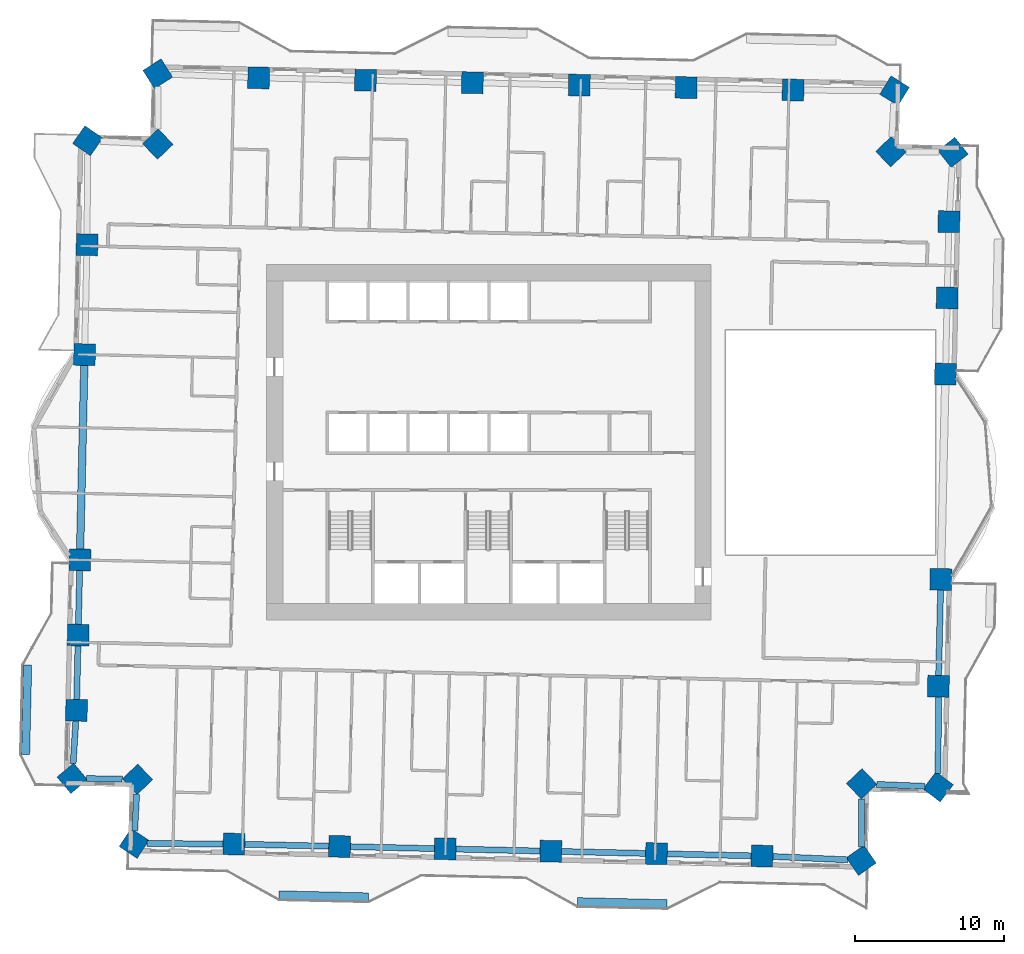
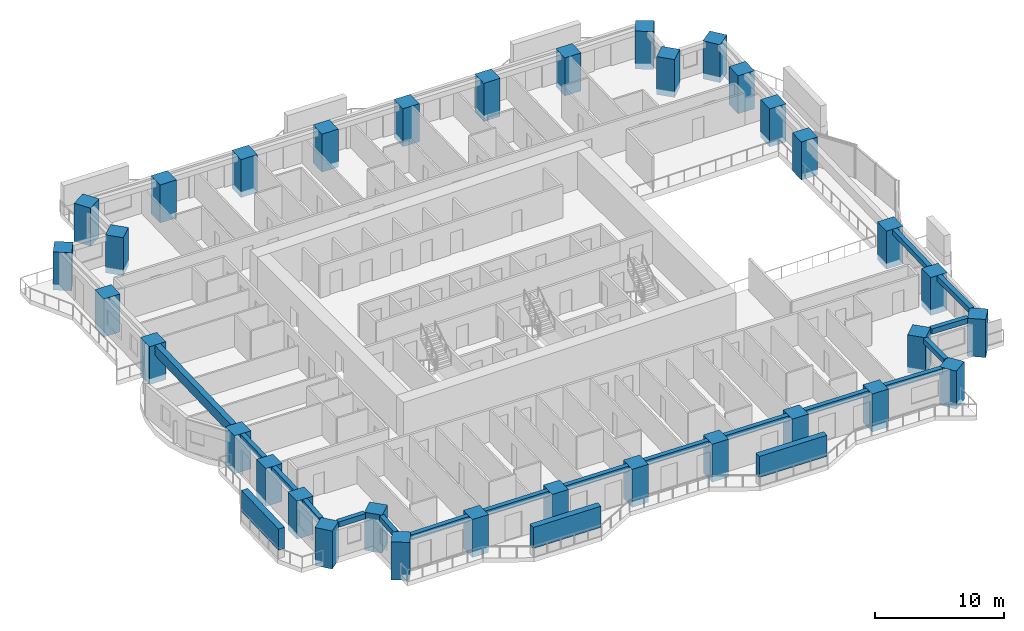
# One storey, part 1 of 18: 34 columns, 17 beams, 3 members.
"""IFC4 building model written with IfcOpenShell, lengths in metres."""

from ifc_helpers import new_model, si_unit, direction, frame, origin, origin_2d, place, context, subcontext, project, spatial, rectangle, extrude, material, material_profile, profile_set, type_object, element, save


model = new_model("IFC4")

# Units and contexts
model_context = context("Model", 3, precision=1e-05, world=origin(), true_north=direction((0.0, 1.0)))
body_context = subcontext(model_context, "Body", "Model", "MODEL_VIEW")
ifc_project = project(units=[si_unit("LENGTHUNIT", "METRE"), si_unit("AREAUNIT", "SQUARE_METRE"), si_unit("VOLUMEUNIT", "CUBIC_METRE"), si_unit("PLANEANGLEUNIT", "RADIAN"), si_unit("MASSUNIT", "GRAM", prefix="KILO")], contexts=[model_context])

# Site, building, storey
site_placement = place(None, origin())
site = spatial("IfcSite", under=ifc_project, at=site_placement, CompositionType="ELEMENT")
building_placement = place(site_placement, origin())
building = spatial("IfcBuilding", under=site, at=building_placement, Name="Mangrove Gate Tower", CompositionType="ELEMENT")
storey_placement = place(building_placement, frame((0.0, 0.0, 67.5)))
storey = spatial("IfcBuildingStorey", under=building, at=storey_placement, Name="L16", CompositionType="ELEMENT", Elevation=67.5)

# Columns
ifc_material_1 = material(Name="Concrete C70/85", Category="concrete")
ifc_material_profile_1 = material_profile(ifc_material_1, rectangle(XDim=1.449951171875, YDim=1.449951171875, at=origin_2d()))
ifc_profile_set_1 = profile_set([ifc_material_profile_1], Name="Concrete C70/85")
column_type = type_object("IfcColumnType", Name="Column RC 1450x1450 C70/85", PredefinedType="COLUMN", material=ifc_profile_set_1)
for number, where, z_axis, x_axis, name in (
    (1, (-27.39111328125, -7.869384765625, -0.550048828125), (0.0, 0.0, 1.0), (-0.022722615033, -0.999741808051, 0.0), "Column L16 W05"),
    (2, (-27.506103515625, -12.909423828125, -0.550048828125), (0.0, 0.0, 1.0), (-0.022712390043, -0.999742040398, 0.0), "Column L16 W06"),
    (3, (-27.6201171875, -17.949462890625, -0.550048828125), (0.0, 0.0, 1.0), (-0.022710139149, -0.999742091532, 0.0), "Column L16 W07"),
    (4, (-27.903076171875, -22.509765625, -0.550048828125), (0.0, 0.0, 1.0), (0.640243203999, -0.768172272172, 0.0), "Column L16 W08"),
    (5, (-23.536865234375, -22.572021484375, -0.550048828125), (0.0, 0.0, 1.0), (0.691018296422, -0.722837266617, 0.0), "Column L16 W09"),
    (6, (-23.76318359375, -26.865234375, -0.550048828125), (0.0, 0.0, 1.0), (0.837001319642, -0.547200868893, 0.0), "Column L16 S01"),
    (7, (-17.069580078125, -26.908203125, -0.550048828125), (0.0, 0.0, 1.0), (0.999742746705, -0.022681278839, 0.0), "Column L16 S02"),
    (8, (-9.99462890625, -27.068115234375, -0.550048828125), (0.0, 0.0, 1.0), (0.999742783124, -0.022679673549, 0.0), "Column L16 S03"),
    (9, (-2.919677734375, -27.229248046875, -0.550048828125), (0.0, 0.0, 1.0), (0.999742783124, -0.022679673549, 0.0), "Column L16 S04"),
    (10, (4.155517578125, -27.38916015625, -0.550048828125), (0.0, 0.0, 1.0), (0.999742746705, -0.022681278839, 0.0), "Column L16 S05"),
    (11, (11.2294921875, -27.55029296875, -0.550048828125), (0.0, 0.0, 1.0), (0.999741142154, -0.022751894086, 0.0), "Column L16 S06"),
    (12, (18.304443359375, -27.711181640625, -0.550048828125), (0.0, 0.0, 1.0), (0.999742783124, -0.022679673549, 0.0), "Column L16 S07"),
    (13, (24.947021484375, -28.002197265625, -0.550048828125), (0.0, 0.0, 1.0), (0.819023244747, 0.573760337218, 0.0), "Column L16 S08"),
    (14, (24.97998046875, -22.872802734375, -0.550048828125), (0.0, 0.0, 1.0), (0.722904645442, 0.690947808158, 0.0), "Column L16 E01"),
    (15, (30.10205078125, -23.075927734375, -0.550048828125), (0.0, 0.0, 1.0), (0.605733382364, 0.795667687851, 0.0), "Column L16 E02"),
    (16, (30.1171875, -16.338623046875, -0.550048828125), (0.0, 0.0, 1.0), (0.02268810132, 0.9997425919, 0.0), "Column L16 E03"),
    (17, (30.279296875, -9.177490234375, -0.550048828125), (0.0, 0.0, 1.0), (0.022664929308, 0.999743117495, 0.0), "Column L16 E04"),
    (18, (30.59130859375, 4.5693359375, -0.550048828125), (0.0, 0.0, 1.0), (0.022694906351, 0.999742437444, 0.0), "Column L16 E05"),
    (19, (30.707275390625, 9.676513671875, -0.550048828125), (0.0, 0.0, 1.0), (0.022708062743, 0.999742138697, 0.0), "Column L16 E06"),
    (20, (30.8232421875, 14.783447265625, -0.550048828125), (0.0, 0.0, 1.0), (0.022710278739, 0.999742088361, 0.0), "Column L16 E07"),
    (21, (31.09375, 19.42529296875, -0.550048828125), (0.0, 0.0, 1.0), (-0.617420768596, 0.786633074887, 0.0), "Column L16 E08"),
    (22, (26.94091796875, 19.468017578125, -0.550048828125), (0.0, 0.0, 1.0), (-0.69084800058, 0.723000027728, 0.0), "Column L16 E09"),
    (23, (27.17919921875, 23.551025390625, -0.550048828125), (0.0, 0.0, 1.0), (-0.85094209372, 0.525259510276, 0.0), "Column L16 N01"),
    (24, (20.383544921875, 23.605224609375, -0.550048828125), (0.0, 0.0, 1.0), (-0.999742555864, 0.022689689161, 0.0), "Column L16 N02"),
    (25, (13.2236328125, 23.76806640625, -0.550048828125), (0.0, 0.0, 1.0), (-0.9997425919, 0.02268810132, 0.0), "Column L16 N03"),
    (26, (6.0625, 23.93017578125, -0.550048828125), (0.0, 0.0, 1.0), (-0.9997425919, 0.02268810132, 0.0), "Column L16 N04"),
    (27, (-1.097412109375, 24.09326171875, -0.550048828125), (0.0, 0.0, 1.0), (-0.9997425919, 0.02268810132, 0.0), "Column L16 N05"),
    (28, (-8.258544921875, 24.255126953125, -0.550048828125), (0.0, 0.0, 1.0), (-0.9997425919, 0.02268810132, 0.0), "Column L16 N06"),
    (29, (-15.41845703125, 24.418212890625, -0.550048828125), (0.0, 0.0, 1.0), (-0.9997425919, 0.02268810132, 0.0), "Column L16 N07"),
    (30, (-22.173095703125, 24.69384765625, -0.550048828125), (0.0, 0.0, 1.0), (-0.843102323493, -0.537753170256, 0.0), "Column L16 N08"),
    (31, (-22.171142578125, 19.98193359375, -0.550048828125), (0.0, 0.0, 1.0), (-0.722910554479, -0.69094162577, 0.0), "Column L16 W01"),
    (32, (-26.871826171875, 20.205322265625, -0.550048828125), (0.0, 0.0, 1.0), (-0.564977588075, -0.825106250718, 0.0), "Column L16 W02"),
    (33, (-26.912109375, 13.238525390625, -0.550048828125), (0.0, 0.0, 1.0), (-0.022682831782, -0.999742711472, 0.0), "Column L16 W03"),
    (34, (-27.0791015625, 5.87744140625, -0.550048828125), (0.0, 0.0, 1.0), (-0.022686984597, -0.999742617242, 0.0), "Column L16 W04"),
):
    element("IfcColumn", number, at=place(storey_placement, frame(where, z_axis=z_axis, x_axis=x_axis)), inside=storey, type_object=column_type, Name=name, PredefinedType="COLUMN", context=body_context, shape_type="SweptSolid", body=[
        extrude(rectangle(XDim=1.449951171875, YDim=1.449951171875, at=origin_2d()), origin(), (0.0, 0.0, 1.0), 3.60009765625),
    ])

# Members
ifc_material_2 = material(Name="Planting on aluminium trellis", Category="aluminium")
ifc_material_profile_2 = material_profile(ifc_material_2, rectangle(XDim=0.550048828125, YDim=2.0, at=origin_2d()))
ifc_profile_set_2 = profile_set([ifc_material_profile_2], Name="Planting on aluminium trellis")
member_type = type_object("IfcMemberType", Name="Balcony greenery screen 550x2000", PredefinedType="USERDEFINED", material=ifc_profile_set_2)
member_placement = place(storey_placement, frame((-31.028076171875, -20.9140625, 1.800048828125), z_axis=(0.022665943652, 0.999743094499, 0.0), x_axis=(-0.999743094499, 0.022665943652, 0.0)))
element("IfcMember", 35, at=member_placement, inside=storey, type_object=member_type, Name="GREEN SCREEN L16 W1.1", ObjectType="PLANTING", PredefinedType="USERDEFINED", context=body_context, shape_type="SweptSolid", body=[
    extrude(rectangle(XDim=0.550048828125, YDim=2.0, at=origin_2d()), origin(), (0.0, 0.0, 1.0), 5.99951171875),
])
for number, where, z_axis, x_axis, name in (
    (36, (-14.054931640625, -30.31689453125, 1.800048828125), (0.999743178102, -0.022662255828, 0.0), (0.022662255828, 0.999743178102, 0.0), "GREEN SCREEN L16 S0.1"),
    (37, (5.93994140625, -30.77099609375, 1.800048828125), (0.999743178102, -0.022662255828, 0.0), (0.022662255828, 0.999743178102, 0.0), "GREEN SCREEN L16 S1.1"),
):
    element("IfcMember", number, at=place(storey_placement, frame(where, z_axis=z_axis, x_axis=x_axis)), inside=storey, type_object=member_type, Name=name, ObjectType="PLANTING", PredefinedType="USERDEFINED", context=body_context, shape_type="SweptSolid", body=[
        extrude(rectangle(XDim=0.550048828125, YDim=2.0, at=origin_2d()), origin(), (0.0, 0.0, 1.0), 6.00048828125),
    ])

# Beams
ifc_material_3 = material(Name="Concrete C50/60", Category="concrete")
ifc_material_profile_3 = material_profile(ifc_material_3, rectangle(XDim=0.39990234375, YDim=0.5, at=origin_2d()))
ifc_profile_set_3 = profile_set([ifc_material_profile_3], Name="Concrete C50/60")
beam_type_1 = type_object("IfcBeamType", Name="Edge beam RC 400x500 C50/60", PredefinedType="BEAM", material=ifc_profile_set_3)
for number, where, z_axis, x_axis, name in (
    (38, (-27.40771484375, -8.59423828125, 2.800048828125), (-0.022841856011, -0.99973909077, 0.0), (0.99973909077, -0.022841856011, 0.0), "Edge beam L16 00"),
    (39, (-27.5224609375, -13.63427734375, 2.800048828125), (-0.022638015856, -0.999743727281, 0.0), (0.999743727281, -0.022638015856, 0.0), "Edge beam L16 01"),
):
    element("IfcBeam", number, at=place(storey_placement, frame(where, z_axis=z_axis, x_axis=x_axis)), inside=storey, type_object=beam_type_1, Name=name, PredefinedType="BEAM", context=body_context, shape_type="SweptSolid", body=[
        extrude(rectangle(XDim=0.39990234375, YDim=0.5, at=origin_2d()), origin(), (0.0, 0.0, 1.0), 3.59130859375),
    ])
beam_1_placement = place(storey_placement, frame((-27.6650390625, -18.673583984375, 2.800048828125), z_axis=(-0.061924410758, -0.998080842093, 0.0), x_axis=(0.998080842093, -0.061924410758, 0.0)))
element("IfcBeam", 40, at=beam_1_placement, inside=storey, type_object=beam_type_1, Name="Edge beam L16 02", PredefinedType="BEAM", context=body_context, shape_type="SweptSolid", body=[
    extrude(rectangle(XDim=0.39990234375, YDim=0.5, at=origin_2d()), origin(), (0.0, 0.0, 1.0), 2.846435546875),
])
beam_2_placement = place(storey_placement, frame((-26.947998046875, -22.5234375, 2.800048828125), z_axis=(0.999898120372, -0.014274063103, 0.0), x_axis=(0.014274063103, 0.999898120372, 0.0)))
element("IfcBeam", 41, at=beam_2_placement, inside=storey, type_object=beam_type_1, Name="Edge beam L16 03", PredefinedType="BEAM", context=body_context, shape_type="SweptSolid", body=[
    extrude(rectangle(XDim=0.39990234375, YDim=0.5, at=origin_2d()), origin(), (0.0, 0.0, 1.0), 2.39453125),
])
beam_3_placement = place(storey_placement, frame((-23.58935546875, -23.56640625, 2.800048828125), z_axis=(-0.052693998779, -0.998610706178, 0.0), x_axis=(0.998610706178, -0.052693998779, 0.0)))
element("IfcBeam", 42, at=beam_3_placement, inside=storey, type_object=beam_type_1, Name="Edge beam L16 04", PredefinedType="BEAM", context=body_context, shape_type="SweptSolid", body=[
    extrude(rectangle(XDim=0.39990234375, YDim=0.5, at=origin_2d()), origin(), (0.0, 0.0, 1.0), 2.46484375),
])
beam_4_placement = place(storey_placement, frame((-22.900634765625, -26.87060546875, 2.800048828125), z_axis=(0.999979167098, -0.006454871739, 0.0), x_axis=(0.006454871739, 0.999979167098, 0.0)))
element("IfcBeam", 43, at=beam_4_placement, inside=storey, type_object=beam_type_1, Name="Edge beam L16 05", PredefinedType="BEAM", context=body_context, shape_type="SweptSolid", body=[
    extrude(rectangle(XDim=0.39990234375, YDim=0.5, at=origin_2d()), origin(), (0.0, 0.0, 1.0), 5.10595703125),
])
beam_5_placement = place(storey_placement, frame((-16.3447265625, -26.924560546875, 2.800048828125), z_axis=(0.999744449755, -0.022606087337, 0.0), x_axis=(0.022606087337, 0.999744449755, 0.0)))
element("IfcBeam", 44, at=beam_5_placement, inside=storey, type_object=beam_type_1, Name="Edge beam L16 06", PredefinedType="BEAM", context=body_context, shape_type="SweptSolid", body=[
    extrude(rectangle(XDim=0.39990234375, YDim=0.5, at=origin_2d()), origin(), (0.0, 0.0, 1.0), 5.626708984375),
])
for number, where, z_axis, x_axis, name in (
    (45, (-9.269775390625, -27.084716796875, 2.800048828125), (0.999741521857, -0.022735203431, 0.0), (0.022735203431, 0.999741521857, 0.0), "Edge beam L16 07"),
    (46, (-2.19482421875, -27.24560546875, 2.800048828125), (0.999744471927, -0.022605106756, 0.0), (0.022605106756, 0.999744471927, 0.0), "Edge beam L16 08"),
):
    element("IfcBeam", number, at=place(storey_placement, frame(where, z_axis=z_axis, x_axis=x_axis)), inside=storey, type_object=beam_type_1, Name=name, PredefinedType="BEAM", context=body_context, shape_type="SweptSolid", body=[
        extrude(rectangle(XDim=0.39990234375, YDim=0.5, at=origin_2d()), origin(), (0.0, 0.0, 1.0), 5.626953125),
    ])
beam_6_placement = place(storey_placement, frame((4.88037109375, -27.40576171875, 2.800048828125), z_axis=(0.999741409687, -0.022740135377, 0.0), x_axis=(0.022740135377, 0.999741409687, 0.0)))
element("IfcBeam", 47, at=beam_6_placement, inside=storey, type_object=beam_type_1, Name="Edge beam L16 09", PredefinedType="BEAM", context=body_context, shape_type="SweptSolid", body=[
    extrude(rectangle(XDim=0.39990234375, YDim=0.5, at=origin_2d()), origin(), (0.0, 0.0, 1.0), 5.625732421875),
])
beam_7_placement = place(storey_placement, frame((11.954345703125, -27.566650390625, 2.800048828125), z_axis=(0.999741499429, -0.022736189649, 0.0), x_axis=(0.022736189649, 0.999741499429, 0.0)))
element("IfcBeam", 48, at=beam_7_placement, inside=storey, type_object=beam_type_1, Name="Edge beam L16 10", PredefinedType="BEAM", context=body_context, shape_type="SweptSolid", body=[
    extrude(rectangle(XDim=0.39990234375, YDim=0.5, at=origin_2d()), origin(), (0.0, 0.0, 1.0), 5.626708984375),
])
beam_8_placement = place(storey_placement, frame((19.02880859375, -27.742919921875, 2.800048828125), z_axis=(0.999041944895, -0.043762910562, 0.0), x_axis=(0.043762910562, 0.999041944895, 0.0)))
element("IfcBeam", 49, at=beam_8_placement, inside=storey, type_object=beam_type_1, Name="Edge beam L16 11", PredefinedType="BEAM", context=body_context, shape_type="SweptSolid", body=[
    extrude(rectangle(XDim=0.39990234375, YDim=0.5, at=origin_2d()), origin(), (0.0, 0.0, 1.0), 5.009765625),
])
beam_9_placement = place(storey_placement, frame((24.95263671875, -27.113037109375, 2.800048828125), z_axis=(0.006498275971, 0.999978885982, 0.0), x_axis=(-0.999978885982, 0.006498275971, 0.0)))
element("IfcBeam", 50, at=beam_9_placement, inside=storey, type_object=beam_type_1, Name="Edge beam L16 12", PredefinedType="BEAM", context=body_context, shape_type="SweptSolid", body=[
    extrude(rectangle(XDim=0.39990234375, YDim=0.5, at=origin_2d()), origin(), (0.0, 0.0, 1.0), 3.23095703125),
])
beam_10_placement = place(storey_placement, frame((25.987548828125, -22.912841796875, 2.800048828125), z_axis=(0.999216566217, -0.039575924467, 0.0), x_axis=(0.039575924467, 0.999216566217, 0.0)))
element("IfcBeam", 51, at=beam_10_placement, inside=storey, type_object=beam_type_1, Name="Edge beam L16 13", PredefinedType="BEAM", context=body_context, shape_type="SweptSolid", body=[
    extrude(rectangle(XDim=0.39990234375, YDim=0.5, at=origin_2d()), origin(), (0.0, 0.0, 1.0), 3.232421875),
])
beam_11_placement = place(storey_placement, frame((30.104248046875, -22.166259765625, 2.800048828125), z_axis=(0.002200951607, 0.999997577903, 0.0), x_axis=(-0.999997577903, 0.002200951607, 0.0)))
element("IfcBeam", 52, at=beam_11_placement, inside=storey, type_object=beam_type_1, Name="Edge beam L16 14", PredefinedType="BEAM", context=body_context, shape_type="SweptSolid", body=[
    extrude(rectangle(XDim=0.39990234375, YDim=0.5, at=origin_2d()), origin(), (0.0, 0.0, 1.0), 5.1025390625),
])
beam_12_placement = place(storey_placement, frame((30.133544921875, -15.61376953125, 2.800048828125), z_axis=(0.022606856661, 0.999744432359, 0.0), x_axis=(-0.999744432359, 0.022606856661, 0.0)))
element("IfcBeam", 53, at=beam_12_placement, inside=storey, type_object=beam_type_1, Name="Edge beam L16 15", PredefinedType="BEAM", context=body_context, shape_type="SweptSolid", body=[
    extrude(rectangle(XDim=0.39990234375, YDim=0.5, at=origin_2d()), origin(), (0.0, 0.0, 1.0), 5.712890625),
])
ifc_material_4 = material(Name="Concrete C50/60", Category="concrete")
ifc_material_profile_4 = material_profile(ifc_material_4, rectangle(XDim=0.5, YDim=0.949951171875, at=origin_2d()))
ifc_profile_set_4 = profile_set([ifc_material_profile_4], Name="Concrete C50/60")
beam_type_2 = type_object("IfcBeamType", Name="Edge beam RC 500x950 C50/60", PredefinedType="BEAM", material=ifc_profile_set_4)
beam_13_placement = place(storey_placement, frame((-27.095703125, 5.15283203125, 2.574951171875), z_axis=(-0.022685788302, -0.999742644389, 0.0), x_axis=(0.999742644389, -0.022685788302, 0.0)))
element("IfcBeam", 54, at=beam_13_placement, inside=storey, type_object=beam_type_2, Name="Edge beam L16 33", PredefinedType="BEAM", context=body_context, shape_type="SweptSolid", body=[
    extrude(rectangle(XDim=0.5, YDim=0.949951171875, at=origin_2d()), origin(), (0.0, 0.0, 1.0), 12.30078125),
])

save(model, "model.ifc")
